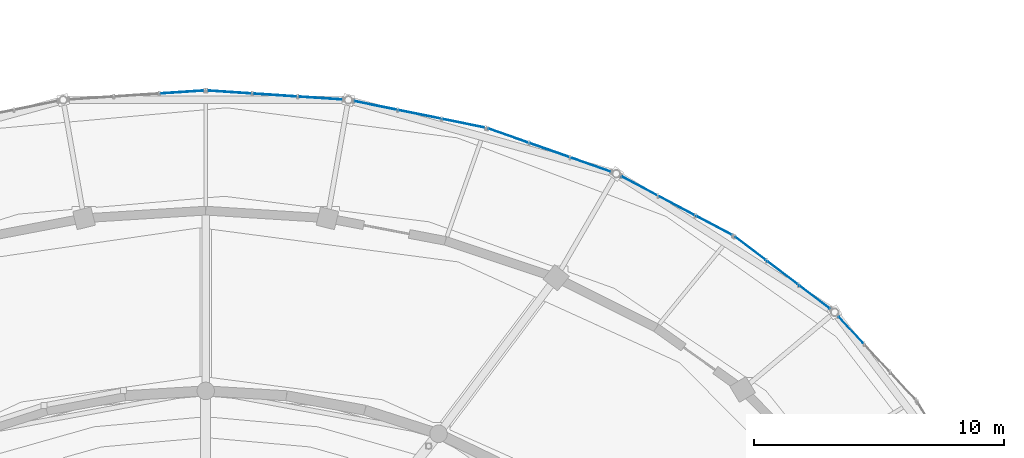
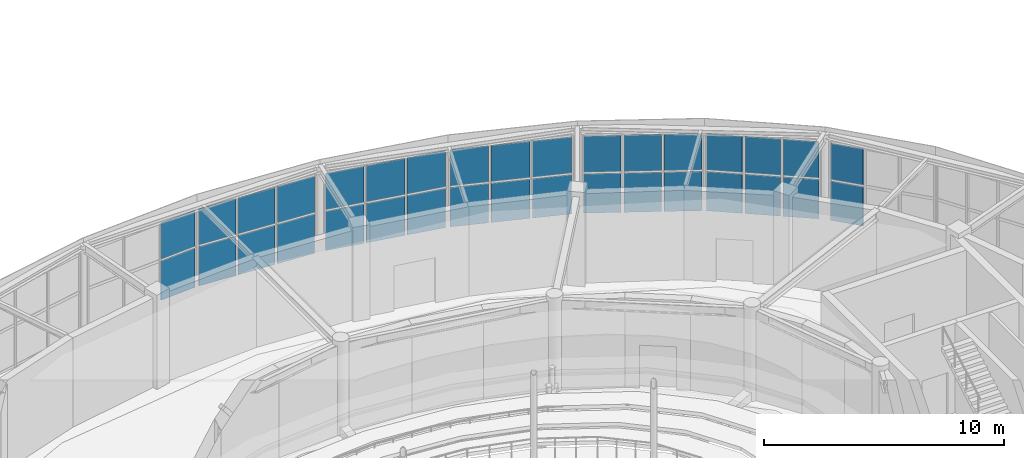
# One storey, part 83 of 108: 34 plates, 7 elements without a shape of their own.
"""IFC4 building model written with IfcOpenShell, lengths in metres."""

from ifc_helpers import new_model, si_unit, direction, frame, origin, origin_2d, place, context, subcontext, project, spatial, rectangle, extrude, material, layer, layer_set, type_object, element, aggregate, save


model = new_model("IFC4")

# Units and contexts
model_context = context("Model", 3, precision=1e-05, world=origin(), true_north=direction((0.0, 1.0)))
body_context = subcontext(model_context, "Body", "Model", "MODEL_VIEW")
ifc_project = project(units=[si_unit("LENGTHUNIT", "METRE"), si_unit("AREAUNIT", "SQUARE_METRE"), si_unit("VOLUMEUNIT", "CUBIC_METRE"), si_unit("PLANEANGLEUNIT", "RADIAN"), si_unit("MASSUNIT", "GRAM", prefix="KILO")], contexts=[model_context])

# Site, building, storey
site_placement = place(None, origin())
site = spatial("IfcSite", under=ifc_project, at=site_placement, CompositionType="ELEMENT")
building_placement = place(site_placement, origin())
building = spatial("IfcBuilding", under=site, at=building_placement, Name="Tarnveldt Headland Concert Hall", CompositionType="ELEMENT")
storey_placement = place(building_placement, frame((0.0, 0.0, 9.60009765625)))
storey = spatial("IfcBuildingStorey", under=building, at=storey_placement, Name="L02", CompositionType="ELEMENT", Elevation=9.60009765625)

# Curtain wall, plates
ifc_material_1 = material(Name="Marine-anodised aluminium EN AW-6063-T6", Category="aluminium")
curtain_wall_type = type_object("IfcCurtainWallType", Name="CW-F3", PredefinedType="NOTDEFINED", material=ifc_material_1)
curtain_wall_1_placement = place(storey_placement, origin())
curtain_wall_1 = element("IfcCurtainWall", 1, at=curtain_wall_1_placement, inside=storey, type_object=curtain_wall_type, Name="Curtain wall CW-L02-063", PredefinedType="NOTDEFINED")
ifc_material_2 = material(Name="Acoustic laminated low-iron double glazing", Category="glass")
ifc_layer = layer(ifc_material_2, 0.028076171875, Name="Acoustic laminated low-iron double glazing", Category="glass")
ifc_layer_set = layer_set([ifc_layer], Name="Acoustic laminated low-iron double glazing")
plate_type = type_object("IfcPlateType", Name="PN-F3", PredefinedType="CURTAIN_PANEL", material=ifc_layer_set)
plate_1_placement = place(storey_placement, frame((109.28271484375, 69.732421875, 0.09228515625), z_axis=(0.0, 0.0, 1.0), x_axis=(-0.679466915851, 0.73370614708, 0.0)))
plate_1 = element("IfcPlate", 2, at=plate_1_placement, type_object=plate_type, Name="Glazed panel CW-L02-063-3-1", PredefinedType="CURTAIN_PANEL", context=body_context, shape_type="SweptSolid", body=[
    extrude(rectangle(XDim=1.419189453125, YDim=0.028076171875, at=origin_2d()), origin(), (0.0, 0.0, 1.0), 2.001220703125),
])
plate_2_placement = place(storey_placement, frame((109.28271484375, 69.732421875, 2.178466796875), z_axis=(0.0, 0.0, 1.0), x_axis=(-0.679466915851, 0.73370614708, 0.0)))
plate_2 = element("IfcPlate", 3, at=plate_2_placement, type_object=plate_type, Name="Glazed panel CW-L02-063-3-2", PredefinedType="CURTAIN_PANEL", context=body_context, shape_type="SweptSolid", body=[
    extrude(rectangle(XDim=1.419189453125, YDim=0.028076171875, at=origin_2d()), origin(), (0.0, 0.0, 1.0), 1.8369140625),
])
aggregate(curtain_wall_1, [plate_1, plate_2])

curtain_wall_2_placement = place(storey_placement, origin())
curtain_wall_2 = element("IfcCurtainWall", 4, at=curtain_wall_2_placement, inside=storey, type_object=curtain_wall_type, Name="Curtain wall CW-L02-064", PredefinedType="NOTDEFINED")
plate_3_placement = place(storey_placement, frame((107.823486328125, 71.048095703125, 0.09228515625), z_axis=(0.0, 0.0, 1.0), x_axis=(-0.797657618631, 0.603110539984, 0.0)))
plate_3 = element("IfcPlate", 5, at=plate_3_placement, type_object=plate_type, Name="Glazed panel CW-L02-064-1-1", PredefinedType="CURTAIN_PANEL", context=body_context, shape_type="SweptSolid", body=[
    extrude(rectangle(XDim=1.499755859375, YDim=0.028076171875, at=origin_2d()), origin(), (0.0, 0.0, 1.0), 2.001220703125),
])
plate_4_placement = place(storey_placement, frame((107.823486328125, 71.048095703125, 2.178466796875), z_axis=(0.0, 0.0, 1.0), x_axis=(-0.797657618631, 0.603110539984, 0.0)))
plate_4 = element("IfcPlate", 6, at=plate_4_placement, type_object=plate_type, Name="Glazed panel CW-L02-064-1-2", PredefinedType="CURTAIN_PANEL", context=body_context, shape_type="SweptSolid", body=[
    extrude(rectangle(XDim=1.499755859375, YDim=0.028076171875, at=origin_2d()), origin(), (0.0, 0.0, 1.0), 1.8369140625),
])
plate_5_placement = place(storey_placement, frame((106.540283203125, 72.018310546875, 0.09228515625), z_axis=(0.0, 0.0, 1.0), x_axis=(-0.797657618631, 0.603110539984, 0.0)))
plate_5 = element("IfcPlate", 7, at=plate_5_placement, type_object=plate_type, Name="Glazed panel CW-L02-064-2-1", PredefinedType="CURTAIN_PANEL", context=body_context, shape_type="SweptSolid", body=[
    extrude(rectangle(XDim=1.499755859375, YDim=0.028076171875, at=origin_2d()), origin(), (0.0, 0.0, 1.0), 2.001220703125),
])
plate_6_placement = place(storey_placement, frame((106.540283203125, 72.018310546875, 2.178466796875), z_axis=(0.0, 0.0, 1.0), x_axis=(-0.797657618631, 0.603110539984, 0.0)))
plate_6 = element("IfcPlate", 8, at=plate_6_placement, type_object=plate_type, Name="Glazed panel CW-L02-064-2-2", PredefinedType="CURTAIN_PANEL", context=body_context, shape_type="SweptSolid", body=[
    extrude(rectangle(XDim=1.499755859375, YDim=0.028076171875, at=origin_2d()), origin(), (0.0, 0.0, 1.0), 1.8369140625),
])
plate_7_placement = place(storey_placement, frame((105.257080078125, 72.988525390625, 0.09228515625), z_axis=(0.0, 0.0, 1.0), x_axis=(-0.797657618631, 0.603110539984, 0.0)))
plate_7 = element("IfcPlate", 9, at=plate_7_placement, type_object=plate_type, Name="Glazed panel CW-L02-064-3-1", PredefinedType="CURTAIN_PANEL", context=body_context, shape_type="SweptSolid", body=[
    extrude(rectangle(XDim=1.499755859375, YDim=0.028076171875, at=origin_2d()), origin(), (0.0, 0.0, 1.0), 2.001220703125),
])
plate_8_placement = place(storey_placement, frame((105.257080078125, 72.988525390625, 2.178466796875), z_axis=(0.0, 0.0, 1.0), x_axis=(-0.797657618631, 0.603110539984, 0.0)))
plate_8 = element("IfcPlate", 10, at=plate_8_placement, type_object=plate_type, Name="Glazed panel CW-L02-064-3-2", PredefinedType="CURTAIN_PANEL", context=body_context, shape_type="SweptSolid", body=[
    extrude(rectangle(XDim=1.499755859375, YDim=0.028076171875, at=origin_2d()), origin(), (0.0, 0.0, 1.0), 1.8369140625),
])
aggregate(curtain_wall_2, [plate_3, plate_4, plate_5, plate_6, plate_7, plate_8])

curtain_wall_3_placement = place(storey_placement, origin())
curtain_wall_3 = element("IfcCurtainWall", 11, at=curtain_wall_3_placement, inside=storey, type_object=curtain_wall_type, Name="Curtain wall CW-L02-065", PredefinedType="NOTDEFINED")
plate_9_placement = place(storey_placement, frame((103.802978515625, 73.910888671875, 0.09228515625), z_axis=(0.0, 0.0, 1.0), x_axis=(-0.883781963382, 0.467898964735, 0.0)))
plate_9 = element("IfcPlate", 12, at=plate_9_placement, type_object=plate_type, Name="Glazed panel CW-L02-065-1-1", PredefinedType="CURTAIN_PANEL", context=body_context, shape_type="SweptSolid", body=[
    extrude(rectangle(XDim=1.576904296875, YDim=0.028076171875, at=origin_2d()), origin(), (0.0, 0.0, 1.0), 2.001220703125),
])
plate_10_placement = place(storey_placement, frame((103.802978515625, 73.910888671875, 2.178466796875), z_axis=(0.0, 0.0, 1.0), x_axis=(-0.883781963382, 0.467898964735, 0.0)))
plate_10 = element("IfcPlate", 13, at=plate_10_placement, type_object=plate_type, Name="Glazed panel CW-L02-065-1-2", PredefinedType="CURTAIN_PANEL", context=body_context, shape_type="SweptSolid", body=[
    extrude(rectangle(XDim=1.576904296875, YDim=0.028076171875, at=origin_2d()), origin(), (0.0, 0.0, 1.0), 1.8369140625),
])
plate_11_placement = place(storey_placement, frame((102.313232421875, 74.69970703125, 0.09228515625), z_axis=(0.0, 0.0, 1.0), x_axis=(-0.883781963382, 0.467898964735, 0.0)))
plate_11 = element("IfcPlate", 14, at=plate_11_placement, type_object=plate_type, Name="Glazed panel CW-L02-065-2-1", PredefinedType="CURTAIN_PANEL", context=body_context, shape_type="SweptSolid", body=[
    extrude(rectangle(XDim=1.576904296875, YDim=0.028076171875, at=origin_2d()), origin(), (0.0, 0.0, 1.0), 2.001220703125),
])
plate_12_placement = place(storey_placement, frame((102.313232421875, 74.69970703125, 2.178466796875), z_axis=(0.0, 0.0, 1.0), x_axis=(-0.883781963382, 0.467898964735, 0.0)))
plate_12 = element("IfcPlate", 15, at=plate_12_placement, type_object=plate_type, Name="Glazed panel CW-L02-065-2-2", PredefinedType="CURTAIN_PANEL", context=body_context, shape_type="SweptSolid", body=[
    extrude(rectangle(XDim=1.576904296875, YDim=0.028076171875, at=origin_2d()), origin(), (0.0, 0.0, 1.0), 1.8369140625),
])
plate_13_placement = place(storey_placement, frame((100.823486328125, 75.488525390625, 0.09228515625), z_axis=(0.0, 0.0, 1.0), x_axis=(-0.883781963382, 0.467898964735, 0.0)))
plate_13 = element("IfcPlate", 16, at=plate_13_placement, type_object=plate_type, Name="Glazed panel CW-L02-065-3-1", PredefinedType="CURTAIN_PANEL", context=body_context, shape_type="SweptSolid", body=[
    extrude(rectangle(XDim=1.576904296875, YDim=0.028076171875, at=origin_2d()), origin(), (0.0, 0.0, 1.0), 2.001220703125),
])
plate_14_placement = place(storey_placement, frame((100.823486328125, 75.488525390625, 2.178466796875), z_axis=(0.0, 0.0, 1.0), x_axis=(-0.883781963382, 0.467898964735, 0.0)))
plate_14 = element("IfcPlate", 17, at=plate_14_placement, type_object=plate_type, Name="Glazed panel CW-L02-065-3-2", PredefinedType="CURTAIN_PANEL", context=body_context, shape_type="SweptSolid", body=[
    extrude(rectangle(XDim=1.576904296875, YDim=0.028076171875, at=origin_2d()), origin(), (0.0, 0.0, 1.0), 1.8369140625),
])
aggregate(curtain_wall_3, [plate_9, plate_10, plate_11, plate_12, plate_13, plate_14])

curtain_wall_4_placement = place(storey_placement, origin())
curtain_wall_4 = element("IfcCurtainWall", 18, at=curtain_wall_4_placement, inside=storey, type_object=curtain_wall_type, Name="Curtain wall CW-L02-066", PredefinedType="NOTDEFINED")
plate_15_placement = place(storey_placement, frame((98.8837890625, 76.335693359375, 0.09228515625), z_axis=(0.0, 0.0, 1.0), x_axis=(-0.9430950477, 0.33252327889, 0.0)))
plate_15 = element("IfcPlate", 19, at=plate_15_placement, type_object=plate_type, Name="Glazed panel CW-L02-066-1-1", PredefinedType="CURTAIN_PANEL", context=body_context, shape_type="SweptSolid", body=[
    extrude(rectangle(XDim=1.641845703125, YDim=0.028076171875, at=origin_2d()), origin(), (0.0, 0.0, 1.0), 2.001220703125),
])
plate_16_placement = place(storey_placement, frame((98.8837890625, 76.335693359375, 2.178466796875), z_axis=(0.0, 0.0, 1.0), x_axis=(-0.9430950477, 0.33252327889, 0.0)))
plate_16 = element("IfcPlate", 20, at=plate_16_placement, type_object=plate_type, Name="Glazed panel CW-L02-066-1-2", PredefinedType="CURTAIN_PANEL", context=body_context, shape_type="SweptSolid", body=[
    extrude(rectangle(XDim=1.641845703125, YDim=0.028076171875, at=origin_2d()), origin(), (0.0, 0.0, 1.0), 1.8369140625),
])
plate_17_placement = place(storey_placement, frame((97.23291015625, 76.91796875, 0.09228515625), z_axis=(0.0, 0.0, 1.0), x_axis=(-0.9430950477, 0.33252327889, 0.0)))
plate_17 = element("IfcPlate", 21, at=plate_17_placement, type_object=plate_type, Name="Glazed panel CW-L02-066-2-1", PredefinedType="CURTAIN_PANEL", context=body_context, shape_type="SweptSolid", body=[
    extrude(rectangle(XDim=1.641845703125, YDim=0.028076171875, at=origin_2d()), origin(), (0.0, 0.0, 1.0), 2.001220703125),
])
plate_18_placement = place(storey_placement, frame((97.23291015625, 76.91796875, 2.178466796875), z_axis=(0.0, 0.0, 1.0), x_axis=(-0.9430950477, 0.33252327889, 0.0)))
plate_18 = element("IfcPlate", 22, at=plate_18_placement, type_object=plate_type, Name="Glazed panel CW-L02-066-2-2", PredefinedType="CURTAIN_PANEL", context=body_context, shape_type="SweptSolid", body=[
    extrude(rectangle(XDim=1.641845703125, YDim=0.028076171875, at=origin_2d()), origin(), (0.0, 0.0, 1.0), 1.8369140625),
])
plate_19_placement = place(storey_placement, frame((95.58154296875, 77.5, 0.09228515625), z_axis=(0.0, 0.0, 1.0), x_axis=(-0.9430950477, 0.33252327889, 0.0)))
plate_19 = element("IfcPlate", 23, at=plate_19_placement, type_object=plate_type, Name="Glazed panel CW-L02-066-3-1", PredefinedType="CURTAIN_PANEL", context=body_context, shape_type="SweptSolid", body=[
    extrude(rectangle(XDim=1.641845703125, YDim=0.028076171875, at=origin_2d()), origin(), (0.0, 0.0, 1.0), 2.001220703125),
])
plate_20_placement = place(storey_placement, frame((95.58154296875, 77.5, 2.178466796875), z_axis=(0.0, 0.0, 1.0), x_axis=(-0.9430950477, 0.33252327889, 0.0)))
plate_20 = element("IfcPlate", 24, at=plate_20_placement, type_object=plate_type, Name="Glazed panel CW-L02-066-3-2", PredefinedType="CURTAIN_PANEL", context=body_context, shape_type="SweptSolid", body=[
    extrude(rectangle(XDim=1.641845703125, YDim=0.028076171875, at=origin_2d()), origin(), (0.0, 0.0, 1.0), 1.8369140625),
])
aggregate(curtain_wall_4, [plate_15, plate_16, plate_17, plate_18, plate_19, plate_20])

curtain_wall_5_placement = place(storey_placement, origin())
curtain_wall_5 = element("IfcCurtainWall", 25, at=curtain_wall_5_placement, inside=storey, type_object=curtain_wall_type, Name="Curtain wall CW-L02-067", PredefinedType="NOTDEFINED")
plate_21_placement = place(storey_placement, frame((93.798095703125, 77.99072265625, 0.09228515625), z_axis=(0.0, 0.0, 1.0), x_axis=(-0.98008791737, 0.198564030542, 0.0)))
plate_21 = element("IfcPlate", 26, at=plate_21_placement, type_object=plate_type, Name="Glazed panel CW-L02-067-1-1", PredefinedType="CURTAIN_PANEL", context=body_context, shape_type="SweptSolid", body=[
    extrude(rectangle(XDim=1.688720703125, YDim=0.028076171875, at=origin_2d()), origin(), (0.0, 0.0, 1.0), 2.001220703125),
])
plate_22_placement = place(storey_placement, frame((93.798095703125, 77.99072265625, 2.178466796875), z_axis=(0.0, 0.0, 1.0), x_axis=(-0.98008791737, 0.198564030542, 0.0)))
plate_22 = element("IfcPlate", 27, at=plate_22_placement, type_object=plate_type, Name="Glazed panel CW-L02-067-1-2", PredefinedType="CURTAIN_PANEL", context=body_context, shape_type="SweptSolid", body=[
    extrude(rectangle(XDim=1.688720703125, YDim=0.028076171875, at=origin_2d()), origin(), (0.0, 0.0, 1.0), 1.8369140625),
])
plate_23_placement = place(storey_placement, frame((92.036376953125, 78.34765625, 0.09228515625), z_axis=(0.0, 0.0, 1.0), x_axis=(-0.98008791737, 0.198564030542, 0.0)))
plate_23 = element("IfcPlate", 28, at=plate_23_placement, type_object=plate_type, Name="Glazed panel CW-L02-067-2-1", PredefinedType="CURTAIN_PANEL", context=body_context, shape_type="SweptSolid", body=[
    extrude(rectangle(XDim=1.688720703125, YDim=0.028076171875, at=origin_2d()), origin(), (0.0, 0.0, 1.0), 2.001220703125),
])
plate_24_placement = place(storey_placement, frame((92.036376953125, 78.34765625, 2.178466796875), z_axis=(0.0, 0.0, 1.0), x_axis=(-0.98008791737, 0.198564030542, 0.0)))
plate_24 = element("IfcPlate", 29, at=plate_24_placement, type_object=plate_type, Name="Glazed panel CW-L02-067-2-2", PredefinedType="CURTAIN_PANEL", context=body_context, shape_type="SweptSolid", body=[
    extrude(rectangle(XDim=1.688720703125, YDim=0.028076171875, at=origin_2d()), origin(), (0.0, 0.0, 1.0), 1.8369140625),
])
plate_25_placement = place(storey_placement, frame((90.2744140625, 78.70458984375, 0.09228515625), z_axis=(0.0, 0.0, 1.0), x_axis=(-0.98008791737, 0.198564030542, 0.0)))
plate_25 = element("IfcPlate", 30, at=plate_25_placement, type_object=plate_type, Name="Glazed panel CW-L02-067-3-1", PredefinedType="CURTAIN_PANEL", context=body_context, shape_type="SweptSolid", body=[
    extrude(rectangle(XDim=1.688720703125, YDim=0.028076171875, at=origin_2d()), origin(), (0.0, 0.0, 1.0), 2.001220703125),
])
plate_26_placement = place(storey_placement, frame((90.2744140625, 78.70458984375, 2.178466796875), z_axis=(0.0, 0.0, 1.0), x_axis=(-0.98008791737, 0.198564030542, 0.0)))
plate_26 = element("IfcPlate", 31, at=plate_26_placement, type_object=plate_type, Name="Glazed panel CW-L02-067-3-2", PredefinedType="CURTAIN_PANEL", context=body_context, shape_type="SweptSolid", body=[
    extrude(rectangle(XDim=1.688720703125, YDim=0.028076171875, at=origin_2d()), origin(), (0.0, 0.0, 1.0), 1.8369140625),
])
aggregate(curtain_wall_5, [plate_21, plate_22, plate_23, plate_24, plate_25, plate_26])

curtain_wall_6_placement = place(storey_placement, origin())
curtain_wall_6 = element("IfcCurtainWall", 32, at=curtain_wall_6_placement, inside=storey, type_object=curtain_wall_type, Name="Curtain wall CW-L02-068", PredefinedType="NOTDEFINED")
plate_27_placement = place(storey_placement, frame((88.085205078125, 78.99658203125, 0.09228515625), z_axis=(0.0, 0.0, 1.0), x_axis=(-0.997817632274, 0.066030089531, 0.0)))
plate_27 = element("IfcPlate", 33, at=plate_27_placement, type_object=plate_type, Name="Glazed panel CW-L02-068-1-1", PredefinedType="CURTAIN_PANEL", context=body_context, shape_type="SweptSolid", body=[
    extrude(rectangle(XDim=1.713134765625, YDim=0.028076171875, at=origin_2d()), origin(), (0.0, 0.0, 1.0), 2.001220703125),
])
plate_28_placement = place(storey_placement, frame((88.085205078125, 78.99658203125, 2.178466796875), z_axis=(0.0, 0.0, 1.0), x_axis=(-0.997817632274, 0.066030089531, 0.0)))
plate_28 = element("IfcPlate", 34, at=plate_28_placement, type_object=plate_type, Name="Glazed panel CW-L02-068-1-2", PredefinedType="CURTAIN_PANEL", context=body_context, shape_type="SweptSolid", body=[
    extrude(rectangle(XDim=1.713134765625, YDim=0.028076171875, at=origin_2d()), origin(), (0.0, 0.0, 1.0), 1.8369140625),
])
plate_29_placement = place(storey_placement, frame((86.26708984375, 79.116943359375, 0.09228515625), z_axis=(0.0, 0.0, 1.0), x_axis=(-0.997817632274, 0.066030089531, 0.0)))
plate_29 = element("IfcPlate", 35, at=plate_29_placement, type_object=plate_type, Name="Glazed panel CW-L02-068-2-1", PredefinedType="CURTAIN_PANEL", context=body_context, shape_type="SweptSolid", body=[
    extrude(rectangle(XDim=1.713134765625, YDim=0.028076171875, at=origin_2d()), origin(), (0.0, 0.0, 1.0), 2.001220703125),
])
plate_30_placement = place(storey_placement, frame((86.26708984375, 79.116943359375, 2.178466796875), z_axis=(0.0, 0.0, 1.0), x_axis=(-0.997817632274, 0.066030089531, 0.0)))
plate_30 = element("IfcPlate", 36, at=plate_30_placement, type_object=plate_type, Name="Glazed panel CW-L02-068-2-2", PredefinedType="CURTAIN_PANEL", context=body_context, shape_type="SweptSolid", body=[
    extrude(rectangle(XDim=1.713134765625, YDim=0.028076171875, at=origin_2d()), origin(), (0.0, 0.0, 1.0), 1.8369140625),
])
plate_31_placement = place(storey_placement, frame((84.448974609375, 79.2373046875, 0.09228515625), z_axis=(0.0, 0.0, 1.0), x_axis=(-0.997817632274, 0.066030089531, 0.0)))
plate_31 = element("IfcPlate", 37, at=plate_31_placement, type_object=plate_type, Name="Glazed panel CW-L02-068-3-1", PredefinedType="CURTAIN_PANEL", context=body_context, shape_type="SweptSolid", body=[
    extrude(rectangle(XDim=1.713134765625, YDim=0.028076171875, at=origin_2d()), origin(), (0.0, 0.0, 1.0), 2.001220703125),
])
plate_32_placement = place(storey_placement, frame((84.448974609375, 79.2373046875, 2.178466796875), z_axis=(0.0, 0.0, 1.0), x_axis=(-0.997817632274, 0.066030089531, 0.0)))
plate_32 = element("IfcPlate", 38, at=plate_32_placement, type_object=plate_type, Name="Glazed panel CW-L02-068-3-2", PredefinedType="CURTAIN_PANEL", context=body_context, shape_type="SweptSolid", body=[
    extrude(rectangle(XDim=1.713134765625, YDim=0.028076171875, at=origin_2d()), origin(), (0.0, 0.0, 1.0), 1.8369140625),
])
aggregate(curtain_wall_6, [plate_27, plate_28, plate_29, plate_30, plate_31, plate_32])

curtain_wall_7_placement = place(storey_placement, origin())
curtain_wall_7 = element("IfcCurtainWall", 39, at=curtain_wall_7_placement, inside=storey, type_object=curtain_wall_type, Name="Curtain wall CW-L02-069", PredefinedType="NOTDEFINED")
plate_33_placement = place(storey_placement, frame((82.551025390625, 79.2373046875, 0.09228515625), z_axis=(0.0, 0.0, 1.0), x_axis=(-0.997817632274, -0.066030089531, 0.0)))
plate_33 = element("IfcPlate", 40, at=plate_33_placement, type_object=plate_type, Name="Glazed panel CW-L02-069-1-1", PredefinedType="CURTAIN_PANEL", context=body_context, shape_type="SweptSolid", body=[
    extrude(rectangle(XDim=1.713134765625, YDim=0.028076171875, at=origin_2d()), origin(), (0.0, 0.0, 1.0), 2.001220703125),
])
plate_34_placement = place(storey_placement, frame((82.551025390625, 79.2373046875, 2.178466796875), z_axis=(0.0, 0.0, 1.0), x_axis=(-0.997817632274, -0.066030089531, 0.0)))
plate_34 = element("IfcPlate", 41, at=plate_34_placement, type_object=plate_type, Name="Glazed panel CW-L02-069-1-2", PredefinedType="CURTAIN_PANEL", context=body_context, shape_type="SweptSolid", body=[
    extrude(rectangle(XDim=1.713134765625, YDim=0.028076171875, at=origin_2d()), origin(), (0.0, 0.0, 1.0), 1.8369140625),
])
aggregate(curtain_wall_7, [plate_33, plate_34])

save(model, "model.ifc")
